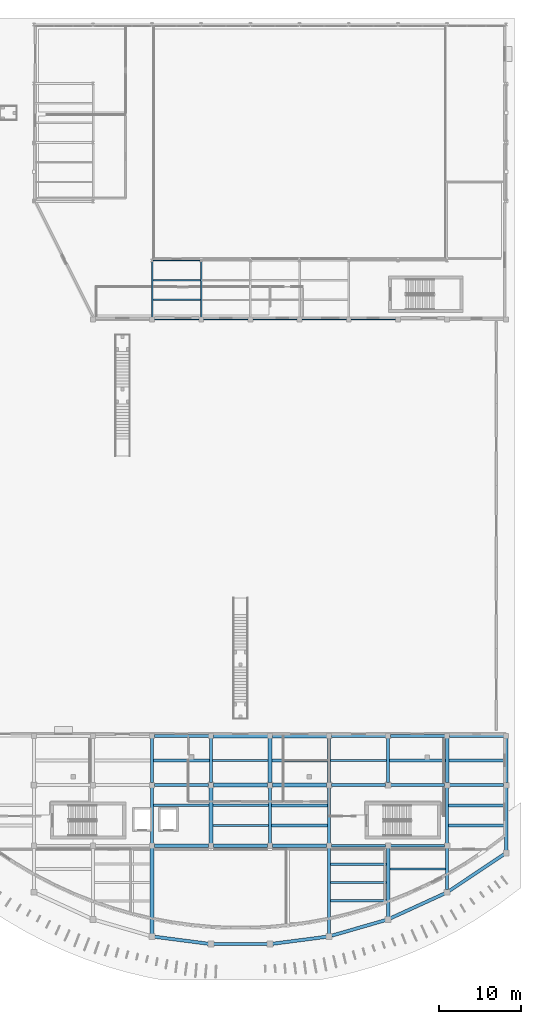
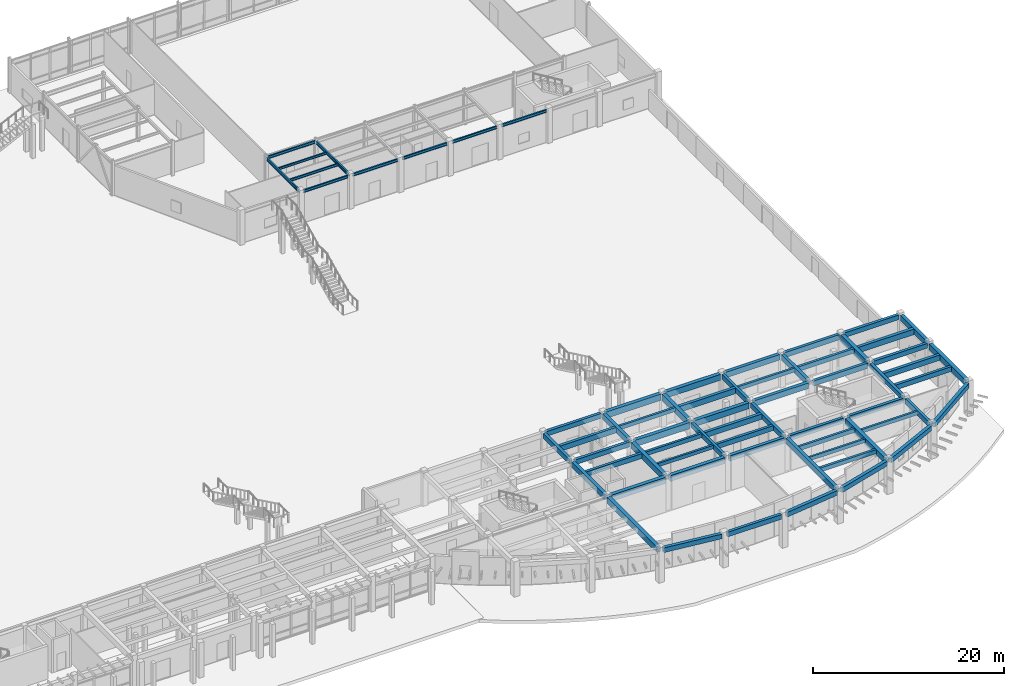
# One storey, part 18 of 58: 67 beams.
"""IFC4 building model written with IfcOpenShell, lengths in metres."""

from ifc_helpers import new_model, si_unit, direction, frame, origin, origin_2d, place, context, subcontext, project, spatial, rectangle, i_section, extrude, material, material_profile, profile_set, type_object, element, save


model = new_model("IFC4")

# Units and contexts
model_context = context("Model", 3, precision=1e-05, world=origin(), true_north=direction((0.0, 1.0)))
body_context = subcontext(model_context, "Body", "Model", "MODEL_VIEW")
ifc_project = project(units=[si_unit("LENGTHUNIT", "METRE"), si_unit("AREAUNIT", "SQUARE_METRE"), si_unit("VOLUMEUNIT", "CUBIC_METRE"), si_unit("PLANEANGLEUNIT", "RADIAN"), si_unit("MASSUNIT", "GRAM", prefix="KILO")], contexts=[model_context])

# Site, building, storey
site_placement = place(None, origin())
site = spatial("IfcSite", under=ifc_project, at=site_placement, CompositionType="ELEMENT")
building_placement = place(site_placement, origin())
building = spatial("IfcBuilding", under=site, at=building_placement, Name="Brisavento Harbour Community Centre", CompositionType="ELEMENT")
storey_placement = place(building_placement, origin())
storey = spatial("IfcBuildingStorey", under=building, at=storey_placement, Name="L00", CompositionType="ELEMENT", Elevation=0.0)

# Beams
ifc_material_1 = material(Name="Concrete C35/45", Category="concrete")
ifc_material_profile_1 = material_profile(ifc_material_1, rectangle(XDim=0.25, YDim=0.449951171875, at=origin_2d()), Name="Concrete C35/45")
ifc_profile_set_1 = profile_set([ifc_material_profile_1], Name="Concrete C35/45")
beam_type_1 = type_object("IfcBeamType", Name="BM-JST-250x450", PredefinedType="JOIST", material=ifc_profile_set_1)
beam_1_placement = place(storey_placement, frame((137.02490234375, 17.466796875, 4.014892578125), z_axis=(1.0, 0.0, 0.0), x_axis=(0.0, 1.0, 0.0)))
element("IfcBeam", 1, at=beam_1_placement, inside=storey, type_object=beam_type_1, Name="L00 secondary floor joist 0200", PredefinedType="JOIST", context=body_context, shape_type="SweptSolid", body=[
    extrude(rectangle(XDim=0.25, YDim=0.449951171875, at=origin_2d()), origin(), (0.0, 0.0, 1.0), 6.800048828125),
])
beam_2_placement = place(storey_placement, frame((151.39990234375, 10.507568359375, 4.014892578125), z_axis=(1.0, 0.0, 0.0), x_axis=(0.0, 1.0, 0.0)))
element("IfcBeam", 2, at=beam_2_placement, inside=storey, type_object=beam_type_1, Name="L00 secondary floor joist 0211", PredefinedType="JOIST", context=body_context, shape_type="SweptSolid", body=[
    extrude(rectangle(XDim=0.25, YDim=0.449951171875, at=origin_2d()), origin(), (0.0, 0.0, 1.0), 6.775146484375),
])
ifc_material_profile_2 = material_profile(ifc_material_1, rectangle(XDim=0.260009765625, YDim=0.4599609375, at=origin_2d()), Name="Concrete C35/45")
ifc_profile_set_2 = profile_set([ifc_material_profile_2], Name="Concrete C35/45")
beam_type_2 = type_object("IfcBeamType", Name="BM-JST-260x460", PredefinedType="JOIST", material=ifc_profile_set_2)
beam_3_placement = place(storey_placement, frame((158.625, 12.156982421875, 4.010009765625), z_axis=(1.0, 0.0, 0.0), x_axis=(0.0, 1.0, 0.0)))
element("IfcBeam", 3, at=beam_3_placement, inside=storey, type_object=beam_type_2, Name="L00 secondary floor joist 0214", PredefinedType="JOIST", context=body_context, shape_type="SweptSolid", body=[
    extrude(rectangle(XDim=0.260009765625, YDim=0.4599609375, at=origin_2d()), origin(), (0.0, 0.0, 1.0), 6.800048828125),
])
ifc_material_profile_3 = material_profile(ifc_material_1, rectangle(XDim=0.280029296875, YDim=0.47998046875, at=origin_2d()), Name="Concrete C35/45")
ifc_profile_set_3 = profile_set([ifc_material_profile_3], Name="Concrete C35/45")
beam_type_3 = type_object("IfcBeamType", Name="BM-JST-280x480", PredefinedType="JOIST", material=ifc_profile_set_3)
beam_4_placement = place(storey_placement, frame((137.0, 25.39990234375, 4.0), z_axis=(1.0, 0.0, 0.0), x_axis=(0.0, 1.0, 0.0)))
element("IfcBeam", 4, at=beam_4_placement, inside=storey, type_object=beam_type_3, Name="L00 secondary floor joist 0202", PredefinedType="JOIST", context=body_context, shape_type="SweptSolid", body=[
    extrude(rectangle(XDim=0.280029296875, YDim=0.47998046875, at=origin_2d()), origin(), (0.0, 0.0, 1.0), 6.77490234375),
])
beam_5_placement = place(storey_placement, frame((151.375, 25.39990234375, 4.0), z_axis=(1.0, 0.0, 0.0), x_axis=(0.0, 1.0, 0.0)))
element("IfcBeam", 5, at=beam_5_placement, inside=storey, type_object=beam_type_3, Name="L00 secondary floor joist 0213", PredefinedType="JOIST", context=body_context, shape_type="SweptSolid", body=[
    extrude(rectangle(XDim=0.280029296875, YDim=0.47998046875, at=origin_2d()), origin(), (0.0, 0.0, 1.0), 6.824951171875),
])
ifc_material_profile_4 = material_profile(ifc_material_1, rectangle(XDim=0.280029296875, YDim=0.52001953125, at=origin_2d()), Name="Concrete C35/45")
ifc_profile_set_4 = profile_set([ifc_material_profile_4], Name="Concrete C35/45")
beam_type_4 = type_object("IfcBeamType", Name="BM-JST-280x520", PredefinedType="JOIST", material=ifc_profile_set_4)
beam_6_placement = place(storey_placement, frame((137.02490234375, 19.933349609375, 3.97998046875), z_axis=(1.0, 0.0, 0.0), x_axis=(0.0, 1.0, 0.0)))
element("IfcBeam", 6, at=beam_6_placement, inside=storey, type_object=beam_type_4, Name="L00 secondary floor joist 0201", PredefinedType="JOIST", context=body_context, shape_type="SweptSolid", body=[
    extrude(rectangle(XDim=0.280029296875, YDim=0.52001953125, at=origin_2d()), origin(), (0.0, 0.0, 1.0), 6.800048828125),
])
beam_7_placement = place(storey_placement, frame((151.39990234375, 12.75390625, 3.97998046875), z_axis=(1.0, 0.0, 0.0), x_axis=(0.0, 1.0, 0.0)))
element("IfcBeam", 7, at=beam_7_placement, inside=storey, type_object=beam_type_4, Name="L00 secondary floor joist 0212", PredefinedType="JOIST", context=body_context, shape_type="SweptSolid", body=[
    extrude(rectangle(XDim=0.280029296875, YDim=0.52001953125, at=origin_2d()), origin(), (0.0, 0.0, 1.0), 6.775146484375),
])
ifc_material_profile_5 = material_profile(ifc_material_1, rectangle(XDim=0.300048828125, YDim=0.5, at=origin_2d()), Name="Concrete C35/45")
ifc_profile_set_5 = profile_set([ifc_material_profile_5], Name="Concrete C35/45")
beam_type_5 = type_object("IfcBeamType", Name="BM-JST-300x500", PredefinedType="JOIST", material=ifc_profile_set_5)
beam_8_placement = place(storey_placement, frame((151.39990234375, 8.26123046875, 3.989990234375), z_axis=(1.0, 0.0, 0.0), x_axis=(0.0, 1.0, 0.0)))
element("IfcBeam", 8, at=beam_8_placement, inside=storey, type_object=beam_type_5, Name="L00 secondary floor joist 0210", PredefinedType="JOIST", context=body_context, shape_type="SweptSolid", body=[
    extrude(rectangle(XDim=0.300048828125, YDim=0.5, at=origin_2d()), origin(), (0.0, 0.0, 1.0), 6.775146484375),
])
ifc_material_profile_6 = material_profile(ifc_material_1, rectangle(XDim=0.320068359375, YDim=0.56005859375, at=origin_2d()), Name="Concrete C35/45")
ifc_profile_set_6 = profile_set([ifc_material_profile_6], Name="Concrete C35/45")
beam_type_6 = type_object("IfcBeamType", Name="BM-JST-320x560", PredefinedType="JOIST", material=ifc_profile_set_6)
beam_9_placement = place(storey_placement, frame((158.60009765625, 25.39990234375, 3.9599609375), z_axis=(1.0, 0.0, 0.0), x_axis=(0.0, 1.0, 0.0)))
element("IfcBeam", 9, at=beam_9_placement, inside=storey, type_object=beam_type_6, Name="L00 secondary floor joist 0215", PredefinedType="JOIST", context=body_context, shape_type="SweptSolid", body=[
    extrude(rectangle(XDim=0.320068359375, YDim=0.56005859375, at=origin_2d()), origin(), (0.0, 0.0, 1.0), 6.77490234375),
])
ifc_material_profile_7 = material_profile(ifc_material_1, rectangle(XDim=0.320068359375, YDim=0.6201171875, at=origin_2d()), Name="Concrete C35/45")
ifc_profile_set_7 = profile_set([ifc_material_profile_7], Name="Concrete C35/45")
beam_type_7 = type_object("IfcBeamType", Name="BM-JST-320x620", PredefinedType="JOIST", material=ifc_profile_set_7)
beam_10_placement = place(storey_placement, frame((129.800048828125, 19.933349609375, 3.929931640625), z_axis=(1.0, 0.0, 0.0), x_axis=(0.0, 1.0, 0.0)))
element("IfcBeam", 10, at=beam_10_placement, inside=storey, type_object=beam_type_7, Name="L00 secondary floor joist 0194", PredefinedType="JOIST", context=body_context, shape_type="SweptSolid", body=[
    extrude(rectangle(XDim=0.320068359375, YDim=0.6201171875, at=origin_2d()), origin(), (0.0, 0.0, 1.0), 6.77490234375),
])
beam_11_placement = place(storey_placement, frame((144.175048828125, 17.466796875, 3.929931640625), z_axis=(1.0, 0.0, 0.0), x_axis=(0.0, 1.0, 0.0)))
element("IfcBeam", 11, at=beam_11_placement, inside=storey, type_object=beam_type_7, Name="L00 secondary floor joist 0205", PredefinedType="JOIST", context=body_context, shape_type="SweptSolid", body=[
    extrude(rectangle(XDim=0.320068359375, YDim=0.6201171875, at=origin_2d()), origin(), (0.0, 0.0, 1.0), 6.849853515625),
])
beam_12_placement = place(storey_placement, frame((165.77490234375, 17.466796875, 3.929931640625), z_axis=(1.0, 0.0, 0.0), x_axis=(0.0, 1.0, 0.0)))
element("IfcBeam", 12, at=beam_12_placement, inside=storey, type_object=beam_type_7, Name="L00 secondary floor joist 0216", PredefinedType="JOIST", context=body_context, shape_type="SweptSolid", body=[
    extrude(rectangle(XDim=0.320068359375, YDim=0.6201171875, at=origin_2d()), origin(), (0.0, 0.0, 1.0), 6.800048828125),
])
ifc_material_profile_8 = material_profile(ifc_material_1, rectangle(XDim=0.360107421875, YDim=0.679931640625, at=origin_2d()), Name="Concrete C35/45")
ifc_profile_set_8 = profile_set([ifc_material_profile_8], Name="Concrete C35/45")
beam_type_8 = type_object("IfcBeamType", Name="BM-JST-360x680", PredefinedType="JOIST", material=ifc_profile_set_8)
beam_13_placement = place(storey_placement, frame((129.77490234375, 25.39990234375, 3.89990234375), z_axis=(1.0, 0.0, 0.0), x_axis=(0.0, 1.0, 0.0)))
element("IfcBeam", 13, at=beam_13_placement, inside=storey, type_object=beam_type_8, Name="L00 secondary floor joist 0195", PredefinedType="JOIST", context=body_context, shape_type="SweptSolid", body=[
    extrude(rectangle(XDim=0.360107421875, YDim=0.679931640625, at=origin_2d()), origin(), (0.0, 0.0, 1.0), 6.8251953125),
])
beam_14_placement = place(storey_placement, frame((144.175048828125, 19.933349609375, 3.89990234375), z_axis=(1.0, 0.0, 0.0), x_axis=(0.0, 1.0, 0.0)))
element("IfcBeam", 14, at=beam_14_placement, inside=storey, type_object=beam_type_8, Name="L00 secondary floor joist 0206", PredefinedType="JOIST", context=body_context, shape_type="SweptSolid", body=[
    extrude(rectangle(XDim=0.360107421875, YDim=0.679931640625, at=origin_2d()), origin(), (0.0, 0.0, 1.0), 6.849853515625),
])
beam_15_placement = place(storey_placement, frame((165.77490234375, 19.933349609375, 3.89990234375), z_axis=(1.0, 0.0, 0.0), x_axis=(0.0, 1.0, 0.0)))
element("IfcBeam", 15, at=beam_15_placement, inside=storey, type_object=beam_type_8, Name="L00 secondary floor joist 0217", PredefinedType="JOIST", context=body_context, shape_type="SweptSolid", body=[
    extrude(rectangle(XDim=0.360107421875, YDim=0.679931640625, at=origin_2d()), origin(), (0.0, 0.0, 1.0), 6.800048828125),
])
ifc_material_profile_9 = material_profile(ifc_material_1, rectangle(XDim=0.3798828125, YDim=0.719970703125, at=origin_2d()), Name="Concrete C35/45")
ifc_profile_set_9 = profile_set([ifc_material_profile_9], Name="Concrete C35/45")
beam_type_9 = type_object("IfcBeamType", Name="BM-JST-380x720", PredefinedType="JOIST", material=ifc_profile_set_9)
beam_16_placement = place(storey_placement, frame((144.22509765625, 25.39990234375, 3.8798828125), z_axis=(1.0, 0.0, 0.0), x_axis=(0.0, 1.0, 0.0)))
element("IfcBeam", 16, at=beam_16_placement, inside=storey, type_object=beam_type_9, Name="L00 secondary floor joist 0207", PredefinedType="JOIST", context=body_context, shape_type="SweptSolid", body=[
    extrude(rectangle(XDim=0.3798828125, YDim=0.719970703125, at=origin_2d()), origin(), (0.0, 0.0, 1.0), 6.7998046875),
])
beam_17_placement = place(storey_placement, frame((165.824951171875, 25.39990234375, 3.8798828125), z_axis=(1.0, 0.0, 0.0), x_axis=(0.0, 1.0, 0.0)))
element("IfcBeam", 17, at=beam_17_placement, inside=storey, type_object=beam_type_9, Name="L00 secondary floor joist 0218", PredefinedType="JOIST", context=body_context, shape_type="SweptSolid", body=[
    extrude(rectangle(XDim=0.3798828125, YDim=0.719970703125, at=origin_2d()), origin(), (0.0, 0.0, 1.0), 6.775146484375),
])
ifc_material_profile_10 = material_profile(ifc_material_1, rectangle(XDim=0.35009765625, YDim=0.60009765625, at=origin_2d()), Name="Concrete C35/45")
ifc_profile_set_10 = profile_set([ifc_material_profile_10], Name="Concrete C35/45")
beam_type_10 = type_object("IfcBeamType", Name="BM-RC-350x600", PredefinedType="BEAM", material=ifc_profile_set_10)
beam_18_placement = place(storey_placement, frame((137.1201171875, 3.0, 3.93994140625), z_axis=(1.0, 0.0, 0.0), x_axis=(0.0, 1.0, 0.0)))
element("IfcBeam", 18, at=beam_18_placement, inside=storey, type_object=beam_type_10, Name="L00 primary girder X0224", PredefinedType="BEAM", context=body_context, shape_type="SweptSolid", body=[
    extrude(rectangle(XDim=0.35009765625, YDim=0.60009765625, at=origin_2d()), origin(), (0.0, 0.0, 1.0), 6.559814453125),
])
for number, where, z_axis, x_axis, name in (
    (19, (158.695068359375, 15.0, 3.93994140625), (1.0, 0.0, 0.0), (0.0, 1.0, 0.0), "L00 primary girder X0249"),
    (20, (129.89501953125, 22.39990234375, 3.93994140625), (1.0, 0.0, 0.0), (0.0, 1.0, 0.0), "L00 primary girder X0254"),
    (21, (165.89501953125, 22.39990234375, 3.93994140625), (1.0, 0.0, 0.0), (0.0, 1.0, 0.0), "L00 primary girder X0259"),
):
    element("IfcBeam", number, at=place(storey_placement, frame(where, z_axis=z_axis, x_axis=x_axis)), inside=storey, type_object=beam_type_10, Name=name, PredefinedType="BEAM", context=body_context, shape_type="SweptSolid", body=[
        extrude(rectangle(XDim=0.35009765625, YDim=0.60009765625, at=origin_2d()), origin(), (0.0, 0.0, 1.0), 6.60986328125),
    ])
for number, where, z_axis, x_axis, name in (
    (22, (129.8701171875, 28.39990234375, 3.93994140625), (1.0, 0.0, 0.0), (0.0, 1.0, 0.0), "L00 primary girder X0269"),
    (23, (165.8701171875, 28.39990234375, 3.93994140625), (1.0, 0.0, 0.0), (0.0, 1.0, 0.0), "L00 primary girder X0274"),
):
    element("IfcBeam", number, at=place(storey_placement, frame(where, z_axis=z_axis, x_axis=x_axis)), inside=storey, type_object=beam_type_10, Name=name, PredefinedType="BEAM", context=body_context, shape_type="SweptSolid", body=[
        extrude(rectangle(XDim=0.35009765625, YDim=0.60009765625, at=origin_2d()), origin(), (0.0, 0.0, 1.0), 6.659912109375),
    ])
beam_19_placement = place(storey_placement, frame((144.0, 15.294921875, 3.93994140625), z_axis=(0.0, 1.0, 0.0), x_axis=(-1.0, 0.0, 0.0)))
element("IfcBeam", 24, at=beam_19_placement, inside=storey, type_object=beam_type_10, Name="L00 primary girder Y0379", PredefinedType="BEAM", context=body_context, shape_type="SweptSolid", body=[
    extrude(rectangle(XDim=0.35009765625, YDim=0.60009765625, at=origin_2d()), origin(), (0.0, 0.0, 1.0), 6.81005859375),
])
beam_20_placement = place(storey_placement, frame((151.199951171875, 22.695068359375, 3.93994140625), z_axis=(0.0, 1.0, 0.0), x_axis=(-1.0, 0.0, 0.0)))
element("IfcBeam", 25, at=beam_20_placement, inside=storey, type_object=beam_type_10, Name="L00 primary girder Y0384", PredefinedType="BEAM", context=body_context, shape_type="SweptSolid", body=[
    extrude(rectangle(XDim=0.35009765625, YDim=0.60009765625, at=origin_2d()), origin(), (0.0, 0.0, 1.0), 5.434814453125),
])
beam_21_placement = place(storey_placement, frame((165.60009765625, 15.294921875, 3.93994140625), z_axis=(0.0, 1.0, 0.0), x_axis=(-1.0, 0.0, 0.0)))
element("IfcBeam", 26, at=beam_21_placement, inside=storey, type_object=beam_type_10, Name="L00 primary girder Y0389", PredefinedType="BEAM", context=body_context, shape_type="SweptSolid", body=[
    extrude(rectangle(XDim=0.35009765625, YDim=0.60009765625, at=origin_2d()), origin(), (0.0, 0.0, 1.0), 6.81005859375),
])
ifc_material_profile_11 = material_profile(ifc_material_1, rectangle(XDim=0.35009765625, YDim=0.64990234375, at=origin_2d()), Name="Concrete C35/45")
ifc_profile_set_11 = profile_set([ifc_material_profile_11], Name="Concrete C35/45")
beam_type_11 = type_object("IfcBeamType", Name="BM-RC-350x650", PredefinedType="BEAM", material=ifc_profile_set_11)
for number, where, z_axis, x_axis, name in (
    (27, (151.4951171875, 15.0, 3.9150390625), (1.0, 0.0, 0.0), (0.0, 1.0, 0.0), "L00 primary girder X0248"),
    (28, (158.695068359375, 22.39990234375, 3.9150390625), (1.0, 0.0, 0.0), (0.0, 1.0, 0.0), "L00 primary girder X0258"),
):
    element("IfcBeam", number, at=place(storey_placement, frame(where, z_axis=z_axis, x_axis=x_axis)), inside=storey, type_object=beam_type_11, Name=name, PredefinedType="BEAM", context=body_context, shape_type="SweptSolid", body=[
        extrude(rectangle(XDim=0.35009765625, YDim=0.64990234375, at=origin_2d()), origin(), (0.0, 0.0, 1.0), 6.60986328125),
    ])
beam_22_placement = place(storey_placement, frame((158.669921875, 28.39990234375, 3.9150390625), z_axis=(1.0, 0.0, 0.0), x_axis=(0.0, 1.0, 0.0)))
element("IfcBeam", 29, at=beam_22_placement, inside=storey, type_object=beam_type_11, Name="L00 primary girder X0273", PredefinedType="BEAM", context=body_context, shape_type="SweptSolid", body=[
    extrude(rectangle(XDim=0.35009765625, YDim=0.64990234375, at=origin_2d()), origin(), (0.0, 0.0, 1.0), 6.66015625),
])
beam_23_placement = place(storey_placement, frame((129.60009765625, 22.695068359375, 3.9150390625), z_axis=(0.0, 1.0, 0.0), x_axis=(-1.0, 0.0, 0.0)))
element("IfcBeam", 30, at=beam_23_placement, inside=storey, type_object=beam_type_11, Name="L00 primary girder Y0373", PredefinedType="BEAM", context=body_context, shape_type="SweptSolid", body=[
    extrude(rectangle(XDim=0.35009765625, YDim=0.64990234375, at=origin_2d()), origin(), (0.0, 0.0, 1.0), 5.434814453125),
])
beam_24_placement = place(storey_placement, frame((151.199951171875, 15.294921875, 3.9150390625), z_axis=(0.0, 1.0, 0.0), x_axis=(-1.0, 0.0, 0.0)))
element("IfcBeam", 31, at=beam_24_placement, inside=storey, type_object=beam_type_11, Name="L00 primary girder Y0383", PredefinedType="BEAM", context=body_context, shape_type="SweptSolid", body=[
    extrude(rectangle(XDim=0.35009765625, YDim=0.64990234375, at=origin_2d()), origin(), (0.0, 0.0, 1.0), 6.81005859375),
])
beam_25_placement = place(storey_placement, frame((165.60009765625, 9.634033203125, 3.9150390625), z_axis=(0.0, 1.0, 0.0), x_axis=(-1.0, 0.0, 0.0)))
element("IfcBeam", 32, at=beam_25_placement, inside=storey, type_object=beam_type_11, Name="L00 primary girder Y0388", PredefinedType="BEAM", context=body_context, shape_type="SweptSolid", body=[
    extrude(rectangle(XDim=0.35009765625, YDim=0.64990234375, at=origin_2d()), origin(), (0.0, 0.0, 1.0), 5.071044921875),
])
ifc_material_profile_12 = material_profile(ifc_material_1, rectangle(XDim=0.39990234375, YDim=0.699951171875, at=origin_2d()), Name="Concrete C35/45")
ifc_profile_set_12 = profile_set([ifc_material_profile_12], Name="Concrete C35/45")
beam_type_12 = type_object("IfcBeamType", Name="BM-RC-400x700", PredefinedType="BEAM", material=ifc_profile_set_12)
beam_26_placement = place(storey_placement, frame((144.294921875, 15.0, 3.889892578125), z_axis=(1.0, 0.0, 0.0), x_axis=(0.0, 1.0, 0.0)))
element("IfcBeam", 33, at=beam_26_placement, inside=storey, type_object=beam_type_12, Name="L00 primary girder X0247", PredefinedType="BEAM", context=body_context, shape_type="SweptSolid", body=[
    extrude(rectangle(XDim=0.39990234375, YDim=0.699951171875, at=origin_2d()), origin(), (0.0, 0.0, 1.0), 6.610107421875),
])
beam_27_placement = place(storey_placement, frame((151.4951171875, 22.39990234375, 3.889892578125), z_axis=(1.0, 0.0, 0.0), x_axis=(0.0, 1.0, 0.0)))
element("IfcBeam", 34, at=beam_27_placement, inside=storey, type_object=beam_type_12, Name="L00 primary girder X0257", PredefinedType="BEAM", context=body_context, shape_type="SweptSolid", body=[
    extrude(rectangle(XDim=0.39990234375, YDim=0.699951171875, at=origin_2d()), origin(), (0.0, 0.0, 1.0), 6.60986328125),
])
beam_28_placement = place(storey_placement, frame((151.469970703125, 28.39990234375, 3.889892578125), z_axis=(1.0, 0.0, 0.0), x_axis=(0.0, 1.0, 0.0)))
element("IfcBeam", 35, at=beam_28_placement, inside=storey, type_object=beam_type_12, Name="L00 primary girder X0272", PredefinedType="BEAM", context=body_context, shape_type="SweptSolid", body=[
    extrude(rectangle(XDim=0.39990234375, YDim=0.699951171875, at=origin_2d()), origin(), (0.0, 0.0, 1.0), 6.659912109375),
])
beam_29_placement = place(storey_placement, frame((129.60009765625, 15.294921875, 3.889892578125), z_axis=(0.0, 1.0, 0.0), x_axis=(-1.0, 0.0, 0.0)))
element("IfcBeam", 36, at=beam_29_placement, inside=storey, type_object=beam_type_12, Name="L00 primary girder Y0372", PredefinedType="BEAM", context=body_context, shape_type="SweptSolid", body=[
    extrude(rectangle(XDim=0.39990234375, YDim=0.699951171875, at=origin_2d()), origin(), (0.0, 0.0, 1.0), 6.81005859375),
])
beam_30_placement = place(storey_placement, frame((136.800048828125, 22.695068359375, 3.889892578125), z_axis=(0.0, 1.0, 0.0), x_axis=(-1.0, 0.0, 0.0)))
element("IfcBeam", 37, at=beam_30_placement, inside=storey, type_object=beam_type_12, Name="L00 primary girder Y0377", PredefinedType="BEAM", context=body_context, shape_type="SweptSolid", body=[
    extrude(rectangle(XDim=0.39990234375, YDim=0.699951171875, at=origin_2d()), origin(), (0.0, 0.0, 1.0), 5.434814453125),
])
beam_31_placement = place(storey_placement, frame((151.199951171875, 4.25390625, 3.889892578125), z_axis=(0.0, 1.0, 0.0), x_axis=(-1.0, 0.0, 0.0)))
element("IfcBeam", 38, at=beam_31_placement, inside=storey, type_object=beam_type_12, Name="L00 primary girder Y0382", PredefinedType="BEAM", context=body_context, shape_type="SweptSolid", body=[
    extrude(rectangle(XDim=0.39990234375, YDim=0.699951171875, at=origin_2d()), origin(), (0.0, 0.0, 1.0), 10.451171875),
])
for number, where, z_axis, x_axis, name in (
    (39, (158.39990234375, 22.695068359375, 3.889892578125), (0.0, 1.0, 0.0), (-1.0, 0.0, 0.0), "L00 primary girder Y0387"),
    (40, (172.800048828125, 22.695068359375, 3.889892578125), (0.0, 1.0, 0.0), (-1.0, 0.0, 0.0), "L00 primary girder Y0392"),
):
    element("IfcBeam", number, at=place(storey_placement, frame(where, z_axis=z_axis, x_axis=x_axis)), inside=storey, type_object=beam_type_12, Name=name, PredefinedType="BEAM", context=body_context, shape_type="SweptSolid", body=[
        extrude(rectangle(XDim=0.39990234375, YDim=0.699951171875, at=origin_2d()), origin(), (0.0, 0.0, 1.0), 5.434814453125),
    ])
ifc_material_profile_13 = material_profile(ifc_material_1, rectangle(XDim=0.449951171875, YDim=0.75, at=origin_2d()), Name="Concrete C35/45")
ifc_profile_set_13 = profile_set([ifc_material_profile_13], Name="Concrete C35/45")
beam_type_13 = type_object("IfcBeamType", Name="BM-RC-450x750", PredefinedType="BEAM", material=ifc_profile_set_13)
for number, where, z_axis, x_axis, name in (
    (41, (137.094970703125, 15.0, 3.864990234375), (1.0, 0.0, 0.0), (0.0, 1.0, 0.0), "L00 primary girder X0246"),
    (42, (144.294921875, 22.39990234375, 3.864990234375), (1.0, 0.0, 0.0), (0.0, 1.0, 0.0), "L00 primary girder X0256"),
):
    element("IfcBeam", number, at=place(storey_placement, frame(where, z_axis=z_axis, x_axis=x_axis)), inside=storey, type_object=beam_type_13, Name=name, PredefinedType="BEAM", context=body_context, shape_type="SweptSolid", body=[
        extrude(rectangle(XDim=0.449951171875, YDim=0.75, at=origin_2d()), origin(), (0.0, 0.0, 1.0), 6.610107421875),
    ])
beam_32_placement = place(storey_placement, frame((144.27001953125, 28.39990234375, 3.864990234375), z_axis=(1.0, 0.0, 0.0), x_axis=(0.0, 1.0, 0.0)))
element("IfcBeam", 43, at=beam_32_placement, inside=storey, type_object=beam_type_13, Name="L00 primary girder X0271", PredefinedType="BEAM", context=body_context, shape_type="SweptSolid", body=[
    extrude(rectangle(XDim=0.449951171875, YDim=0.75, at=origin_2d()), origin(), (0.0, 0.0, 1.0), 6.659912109375),
])
beam_33_placement = place(storey_placement, frame((129.60009765625, 4.25390625, 3.864990234375), z_axis=(0.0, 1.0, 0.0), x_axis=(-1.0, 0.0, 0.0)))
element("IfcBeam", 44, at=beam_33_placement, inside=storey, type_object=beam_type_13, Name="L00 primary girder Y0371", PredefinedType="BEAM", context=body_context, shape_type="SweptSolid", body=[
    extrude(rectangle(XDim=0.449951171875, YDim=0.75, at=origin_2d()), origin(), (0.0, 0.0, 1.0), 10.451171875),
])
beam_34_placement = place(storey_placement, frame((136.800048828125, 15.294921875, 3.864990234375), z_axis=(0.0, 1.0, 0.0), x_axis=(-1.0, 0.0, 0.0)))
element("IfcBeam", 45, at=beam_34_placement, inside=storey, type_object=beam_type_13, Name="L00 primary girder Y0376", PredefinedType="BEAM", context=body_context, shape_type="SweptSolid", body=[
    extrude(rectangle(XDim=0.449951171875, YDim=0.75, at=origin_2d()), origin(), (0.0, 0.0, 1.0), 6.81005859375),
])
beam_35_placement = place(storey_placement, frame((158.39990234375, 6.3349609375, 3.864990234375), z_axis=(0.0, 1.0, 0.0), x_axis=(-1.0, 0.0, 0.0)))
element("IfcBeam", 46, at=beam_35_placement, inside=storey, type_object=beam_type_13, Name="L00 primary girder Y0386", PredefinedType="BEAM", context=body_context, shape_type="SweptSolid", body=[
    extrude(rectangle(XDim=0.449951171875, YDim=0.75, at=origin_2d()), origin(), (0.0, 0.0, 1.0), 8.3701171875),
])
beam_36_placement = place(storey_placement, frame((172.800048828125, 14.447998046875, 3.864990234375), z_axis=(0.0, 1.0, 0.0), x_axis=(-1.0, 0.0, 0.0)))
element("IfcBeam", 47, at=beam_36_placement, inside=storey, type_object=beam_type_13, Name="L00 primary girder Y0391", PredefinedType="BEAM", context=body_context, shape_type="SweptSolid", body=[
    extrude(rectangle(XDim=0.449951171875, YDim=0.75, at=origin_2d()), origin(), (0.0, 0.0, 1.0), 7.656982421875),
])
ifc_material_profile_14 = material_profile(ifc_material_1, rectangle(XDim=0.449951171875, YDim=0.800048828125, at=origin_2d()), Name="Concrete C35/45")
ifc_profile_set_14 = profile_set([ifc_material_profile_14], Name="Concrete C35/45")
beam_type_14 = type_object("IfcBeamType", Name="BM-RC-450x800", PredefinedType="BEAM", material=ifc_profile_set_14)
beam_37_placement = place(storey_placement, frame((129.89501953125, 15.0, 3.840087890625), z_axis=(1.0, 0.0, 0.0), x_axis=(0.0, 1.0, 0.0)))
element("IfcBeam", 48, at=beam_37_placement, inside=storey, type_object=beam_type_14, Name="L00 primary girder X0245", PredefinedType="BEAM", context=body_context, shape_type="SweptSolid", body=[
    extrude(rectangle(XDim=0.449951171875, YDim=0.800048828125, at=origin_2d()), origin(), (0.0, 0.0, 1.0), 6.60986328125),
])
beam_38_placement = place(storey_placement, frame((137.094970703125, 22.39990234375, 3.840087890625), z_axis=(1.0, 0.0, 0.0), x_axis=(0.0, 1.0, 0.0)))
element("IfcBeam", 49, at=beam_38_placement, inside=storey, type_object=beam_type_14, Name="L00 primary girder X0255", PredefinedType="BEAM", context=body_context, shape_type="SweptSolid", body=[
    extrude(rectangle(XDim=0.449951171875, YDim=0.800048828125, at=origin_2d()), origin(), (0.0, 0.0, 1.0), 6.610107421875),
])
beam_39_placement = place(storey_placement, frame((137.070068359375, 28.39990234375, 3.840087890625), z_axis=(1.0, 0.0, 0.0), x_axis=(0.0, 1.0, 0.0)))
element("IfcBeam", 50, at=beam_39_placement, inside=storey, type_object=beam_type_14, Name="L00 primary girder X0270", PredefinedType="BEAM", context=body_context, shape_type="SweptSolid", body=[
    extrude(rectangle(XDim=0.449951171875, YDim=0.800048828125, at=origin_2d()), origin(), (0.0, 0.0, 1.0), 6.659912109375),
])
for number, where, z_axis, x_axis, name in (
    (51, (144.0, 22.695068359375, 3.840087890625), (0.0, 1.0, 0.0), (-1.0, 0.0, 0.0), "L00 primary girder Y0380"),
    (52, (165.60009765625, 22.695068359375, 3.840087890625), (0.0, 1.0, 0.0), (-1.0, 0.0, 0.0), "L00 primary girder Y0390"),
):
    element("IfcBeam", number, at=place(storey_placement, frame(where, z_axis=z_axis, x_axis=x_axis)), inside=storey, type_object=beam_type_14, Name=name, PredefinedType="BEAM", context=body_context, shape_type="SweptSolid", body=[
        extrude(rectangle(XDim=0.449951171875, YDim=0.800048828125, at=origin_2d()), origin(), (0.0, 0.0, 1.0), 5.434814453125),
    ])
ifc_material_profile_15 = material_profile(ifc_material_1, rectangle(XDim=0.39990234375, YDim=0.60009765625, at=origin_2d()), Name="Concrete C35/45")
ifc_profile_set_15 = profile_set([ifc_material_profile_15], Name="Concrete C35/45")
beam_type_15 = type_object("IfcBeamType", Name="BM-SPN-400x600", PredefinedType="SPANDREL", material=ifc_profile_set_15)
for number, where, z_axis, x_axis, name in (
    (53, (129.917236328125, 3.892822265625, 3.93994140625), (0.991693101338, -0.128626563196, 0.0), (0.128626563196, 0.991693101338, 0.0), "L00 curved perimeter spandrel 0401"),
    (54, (144.3173828125, 3.041259765625, 3.93994140625), (0.991693101338, 0.128626563196, 0.0), (-0.128626563196, 0.991693101338, 0.0), "L00 curved perimeter spandrel 0402"),
):
    element("IfcBeam", number, at=place(storey_placement, frame(where, z_axis=z_axis, x_axis=x_axis)), inside=storey, type_object=beam_type_15, Name=name, PredefinedType="SPANDREL", context=body_context, shape_type="SweptSolid", body=[
        extrude(rectangle(XDim=0.39990234375, YDim=0.60009765625, at=origin_2d()), origin(), (0.0, 0.0, 1.0), 6.620361328125),
    ])
beam_40_placement = place(storey_placement, frame((151.50732421875, 4.02294921875, 3.93994140625), z_axis=(0.960687587705, 0.277631696369, 0.0), x_axis=(-0.277631696369, 0.960687587705, 0.0)))
element("IfcBeam", 55, at=beam_40_placement, inside=storey, type_object=beam_type_15, Name="L00 curved perimeter spandrel 0403", PredefinedType="SPANDREL", context=body_context, shape_type="SweptSolid", body=[
    extrude(rectangle(XDim=0.39990234375, YDim=0.60009765625, at=origin_2d()), origin(), (0.0, 0.0, 1.0), 6.854736328125),
])
beam_41_placement = place(storey_placement, frame((158.69091796875, 6.148193359375, 3.93994140625), z_axis=(0.909109276526, 0.416557707088, 0.0), x_axis=(-0.416557707088, 0.909109276526, 0.0)))
element("IfcBeam", 56, at=beam_41_placement, inside=storey, type_object=beam_type_15, Name="L00 curved perimeter spandrel 0404", PredefinedType="SPANDREL", context=body_context, shape_type="SweptSolid", body=[
    extrude(rectangle(XDim=0.39990234375, YDim=0.60009765625, at=origin_2d()), origin(), (0.0, 0.0, 1.0), 7.27978515625),
])
beam_42_placement = place(storey_placement, frame((165.865966796875, 9.491943359375, 3.93994140625), z_axis=(0.831305000321, 0.555816513286, 0.0), x_axis=(-0.555816513286, 0.831305000321, 0.0)))
element("IfcBeam", 57, at=beam_42_placement, inside=storey, type_object=beam_type_15, Name="L00 curved perimeter spandrel 0405", PredefinedType="SPANDREL", context=body_context, shape_type="SweptSolid", body=[
    extrude(rectangle(XDim=0.39990234375, YDim=0.60009765625, at=origin_2d()), origin(), (0.0, 0.0, 1.0), 8.02099609375),
])
ifc_material_2 = material(Name="Steel S355", Category="steel")
ifc_material_profile_16 = material_profile(ifc_material_2, i_section(OverallWidth=0.14990234375, OverallDepth=0.300048828125, WebThickness=0.007080078125, FlangeThickness=0.0107421875, FilletRadius=0.014892578125, at=origin_2d()), Name="Steel S355")
ifc_profile_set_16 = profile_set([ifc_material_profile_16], Name="Steel S355")
beam_type_16 = type_object("IfcBeamType", Name="BM-STL-IPE300", PredefinedType="JOIST", material=ifc_profile_set_16)
beam_43_placement = place(storey_placement, frame((129.68994140625, 84.0, 4.090087890625), z_axis=(1.0, 0.0, 0.0), x_axis=(0.0, 1.0, 0.0)))
element("IfcBeam", 58, at=beam_43_placement, inside=storey, type_object=beam_type_16, Name="L00 secondary floor joist 0197", PredefinedType="JOIST", context=body_context, shape_type="SweptSolid", body=[
    extrude(i_section(OverallWidth=0.14990234375, OverallDepth=0.300048828125, WebThickness=0.007080078125, FlangeThickness=0.0107421875, FilletRadius=0.014892578125, at=origin_2d()), origin(), (0.0, 0.0, 1.0), 5.820068359375),
])
ifc_material_profile_17 = material_profile(ifc_material_2, i_section(OverallWidth=0.159912109375, OverallDepth=0.330078125, WebThickness=0.007568359375, FlangeThickness=0.011474609375, FilletRadius=0.01806640625, at=origin_2d()), Name="Steel S355")
ifc_profile_set_17 = profile_set([ifc_material_profile_17], Name="Steel S355")
beam_type_17 = type_object("IfcBeamType", Name="BM-STL-IPE330", PredefinedType="JOIST", material=ifc_profile_set_17)
beam_44_placement = place(storey_placement, frame((129.68994140625, 81.60009765625, 4.074951171875), z_axis=(1.0, 0.0, 0.0), x_axis=(0.0, 1.0, 0.0)))
element("IfcBeam", 59, at=beam_44_placement, inside=storey, type_object=beam_type_17, Name="L00 secondary floor joist 0196", PredefinedType="JOIST", context=body_context, shape_type="SweptSolid", body=[
    extrude(i_section(OverallWidth=0.159912109375, OverallDepth=0.330078125, WebThickness=0.007568359375, FlangeThickness=0.011474609375, FilletRadius=0.01806640625, at=origin_2d()), origin(), (0.0, 0.0, 1.0), 5.820068359375),
])
ifc_material_profile_18 = material_profile(ifc_material_2, i_section(OverallWidth=0.169921875, OverallDepth=0.360107421875, WebThickness=0.008056640625, FlangeThickness=0.0126953125, FilletRadius=0.01806640625, at=origin_2d()), Name="Steel S355")
ifc_profile_set_18 = profile_set([ifc_material_profile_18], Name="Steel S355")
beam_type_18 = type_object("IfcBeamType", Name="BM-STL-IPE360", PredefinedType="BEAM", material=ifc_profile_set_18)
for number, where, z_axis, x_axis, name in (
    (60, (129.8701171875, 79.199951171875, 4.06005859375), (1.0, 0.0, 0.0), (0.0, 1.0, 0.0), "L00 primary girder X0302"),
    (61, (135.8701171875, 79.199951171875, 4.06005859375), (1.0, 0.0, 0.0), (0.0, 1.0, 0.0), "L00 primary girder X0303"),
    (62, (141.8701171875, 79.199951171875, 4.06005859375), (1.0, 0.0, 0.0), (0.0, 1.0, 0.0), "L00 primary girder X0304"),
    (63, (147.8701171875, 79.199951171875, 4.06005859375), (1.0, 0.0, 0.0), (0.0, 1.0, 0.0), "L00 primary girder X0305"),
    (64, (153.8701171875, 79.199951171875, 4.06005859375), (1.0, 0.0, 0.0), (0.0, 1.0, 0.0), "L00 primary girder X0306"),
):
    element("IfcBeam", number, at=place(storey_placement, frame(where, z_axis=z_axis, x_axis=x_axis)), inside=storey, type_object=beam_type_18, Name=name, PredefinedType="BEAM", context=body_context, shape_type="SweptSolid", body=[
        extrude(i_section(OverallWidth=0.169921875, OverallDepth=0.360107421875, WebThickness=0.008056640625, FlangeThickness=0.0126953125, FilletRadius=0.01806640625, at=origin_2d()), origin(), (0.0, 0.0, 1.0), 5.4599609375),
    ])
beam_45_placement = place(storey_placement, frame((129.719970703125, 86.39990234375, 4.06005859375), z_axis=(1.0, 0.0, 0.0), x_axis=(0.0, 1.0, 0.0)))
element("IfcBeam", 65, at=beam_45_placement, inside=storey, type_object=beam_type_18, Name="L00 primary girder X0314", PredefinedType="BEAM", context=body_context, shape_type="SweptSolid", body=[
    extrude(i_section(OverallWidth=0.169921875, OverallDepth=0.360107421875, WebThickness=0.008056640625, FlangeThickness=0.0126953125, FilletRadius=0.01806640625, at=origin_2d()), origin(), (0.0, 0.0, 1.0), 5.760009765625),
])
ifc_material_profile_19 = material_profile(ifc_material_2, i_section(OverallWidth=0.179931640625, OverallDepth=0.39990234375, WebThickness=0.008544921875, FlangeThickness=0.013427734375, FilletRadius=0.02099609375, at=origin_2d()), Name="Steel S355")
ifc_profile_set_19 = profile_set([ifc_material_profile_19], Name="Steel S355")
beam_type_19 = type_object("IfcBeamType", Name="BM-STL-IPE400", PredefinedType="BEAM", material=ifc_profile_set_19)
for number, where, z_axis, x_axis, name in (
    (66, (129.60009765625, 79.469970703125, 4.0400390625), (0.0, 1.0, 0.0), (-1.0, 0.0, 0.0), "L00 primary girder Y0374"),
    (67, (135.60009765625, 79.469970703125, 4.0400390625), (0.0, 1.0, 0.0), (-1.0, 0.0, 0.0), "L00 primary girder Y0375"),
):
    element("IfcBeam", number, at=place(storey_placement, frame(where, z_axis=z_axis, x_axis=x_axis)), inside=storey, type_object=beam_type_19, Name=name, PredefinedType="BEAM", context=body_context, shape_type="SweptSolid", body=[
        extrude(i_section(OverallWidth=0.179931640625, OverallDepth=0.39990234375, WebThickness=0.008544921875, FlangeThickness=0.013427734375, FilletRadius=0.02099609375, at=origin_2d()), origin(), (0.0, 0.0, 1.0), 6.780029296875),
    ])

save(model, "model.ifc")
